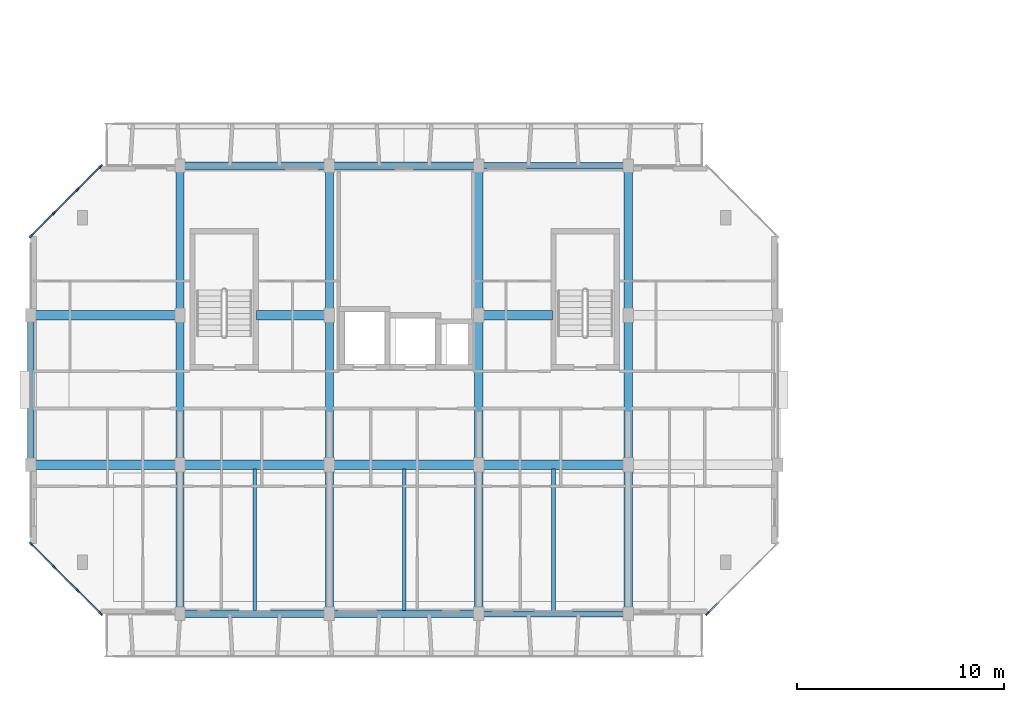
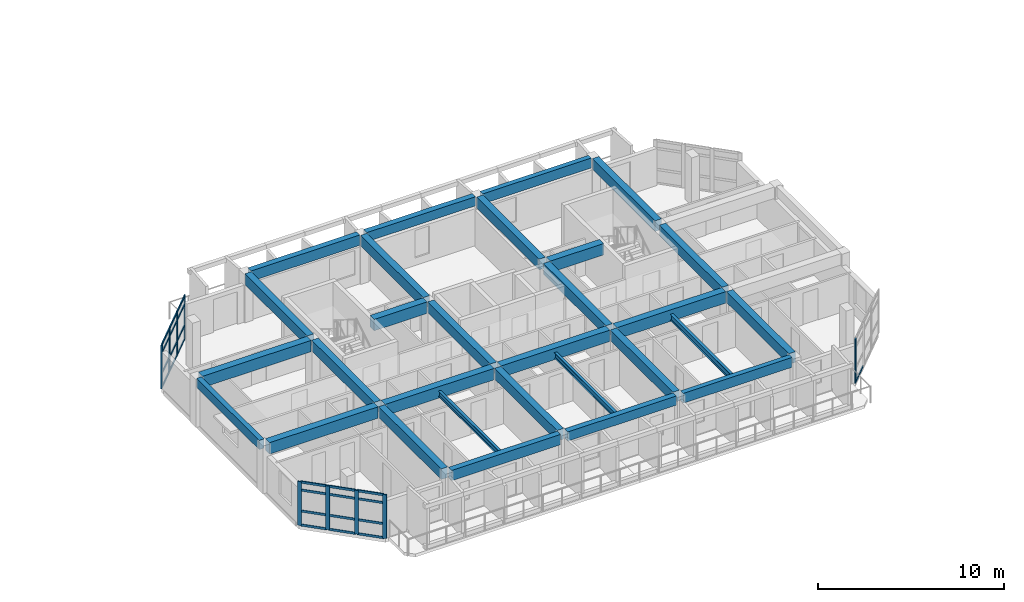
# One storey, part 2 of 43: 34 members, 29 beams, 3 elements without a shape of their own.
"""IFC4 building model written with IfcOpenShell, lengths in metres."""

from ifc_helpers import new_model, si_unit, direction, frame, origin, origin_2d, place, context, subcontext, project, spatial, rectangle, i_section, extrude, material, layer, layer_set, material_profile, profile_set, type_object, element, aggregate, save


model = new_model("IFC4")

# Units and contexts
model_context = context("Model", 3, precision=1e-05, world=origin(), true_north=direction((0.0, 1.0)))
body_context = subcontext(model_context, "Body", "Model", "MODEL_VIEW")
ifc_project = project(units=[si_unit("LENGTHUNIT", "METRE"), si_unit("AREAUNIT", "SQUARE_METRE"), si_unit("VOLUMEUNIT", "CUBIC_METRE"), si_unit("PLANEANGLEUNIT", "RADIAN"), si_unit("MASSUNIT", "GRAM", prefix="KILO")], contexts=[model_context])

# Site, building, storey
site_placement = place(None, origin())
site = spatial("IfcSite", under=ifc_project, at=site_placement, CompositionType="ELEMENT")
building_placement = place(site_placement, origin())
building = spatial("IfcBuilding", under=site, at=building_placement, Name="Ochrevale Crest", CompositionType="ELEMENT")
storey_placement = place(building_placement, frame((0.0, 0.0, 15.0)))
storey = spatial("IfcBuildingStorey", under=building, at=storey_placement, Name="L04", CompositionType="ELEMENT", Elevation=15.0)

# Beams
ifc_material_1 = material(Name="Precast concrete C50/60", Category="concrete")
ifc_material_profile_1 = material_profile(ifc_material_1, rectangle(XDim=0.39990234375, YDim=0.699951171875, at=origin_2d()), Name="PC 400x700")
ifc_profile_set_1 = profile_set([ifc_material_profile_1], Name="Precast concrete C50/60")
beam_type_1 = type_object("IfcBeamType", Name="BM-PC400x700", PredefinedType="BEAM", material=ifc_profile_set_1)
beam_1_placement = place(storey_placement, frame((7.199951171875, 14.6298828125, 2.800048828125), z_axis=(0.0, 1.0, 0.0), x_axis=(-1.0, 0.0, 0.0)))
element("IfcBeam", 1, at=beam_1_placement, inside=storey, type_object=beam_type_1, Name="Block A L04 N-S beam X=7.2", PredefinedType="BEAM", context=body_context, shape_type="SweptSolid", body=[
    extrude(rectangle(XDim=0.39990234375, YDim=0.699951171875, at=origin_2d()), origin(), (0.0, 0.0, 1.0), 6.740234375),
])
for number, where, z_axis, x_axis, name in (
    (2, (7.199951171875, 21.830078125, 2.800048828125), (0.0, 1.0, 0.0), (-1.0, 0.0, 0.0), "Block A L04 N-S beam X=7.2"),
    (3, (7.199951171875, 29.030029296875, 2.800048828125), (0.0, 1.0, 0.0), (-1.0, 0.0, 0.0), "Block A L04 N-S beam X=7.2"),
):
    element("IfcBeam", number, at=place(storey_placement, frame(where, z_axis=z_axis, x_axis=x_axis)), inside=storey, type_object=beam_type_1, Name=name, PredefinedType="BEAM", context=body_context, shape_type="SweptSolid", body=[
        extrude(rectangle(XDim=0.39990234375, YDim=0.699951171875, at=origin_2d()), origin(), (0.0, 0.0, 1.0), 6.739990234375),
    ])
beam_2_placement = place(storey_placement, frame((14.39990234375, 14.6298828125, 2.800048828125), z_axis=(0.0, 1.0, 0.0), x_axis=(-1.0, 0.0, 0.0)))
element("IfcBeam", 4, at=beam_2_placement, inside=storey, type_object=beam_type_1, Name="Block A L04 N-S beam X=14.4", PredefinedType="BEAM", context=body_context, shape_type="SweptSolid", body=[
    extrude(rectangle(XDim=0.39990234375, YDim=0.699951171875, at=origin_2d()), origin(), (0.0, 0.0, 1.0), 6.740234375),
])
for number, where, z_axis, x_axis, name in (
    (5, (14.39990234375, 21.830078125, 2.800048828125), (0.0, 1.0, 0.0), (-1.0, 0.0, 0.0), "Block A L04 N-S beam X=14.4"),
    (6, (14.39990234375, 29.030029296875, 2.800048828125), (0.0, 1.0, 0.0), (-1.0, 0.0, 0.0), "Block A L04 N-S beam X=14.4"),
):
    element("IfcBeam", number, at=place(storey_placement, frame(where, z_axis=z_axis, x_axis=x_axis)), inside=storey, type_object=beam_type_1, Name=name, PredefinedType="BEAM", context=body_context, shape_type="SweptSolid", body=[
        extrude(rectangle(XDim=0.39990234375, YDim=0.699951171875, at=origin_2d()), origin(), (0.0, 0.0, 1.0), 6.739990234375),
    ])
beam_3_placement = place(storey_placement, frame((21.60009765625, 14.6298828125, 2.800048828125), z_axis=(0.0, 1.0, 0.0), x_axis=(-1.0, 0.0, 0.0)))
element("IfcBeam", 7, at=beam_3_placement, inside=storey, type_object=beam_type_1, Name="Block A L04 N-S beam X=21.6", PredefinedType="BEAM", context=body_context, shape_type="SweptSolid", body=[
    extrude(rectangle(XDim=0.39990234375, YDim=0.699951171875, at=origin_2d()), origin(), (0.0, 0.0, 1.0), 6.740234375),
])
for number, where, z_axis, x_axis, name in (
    (8, (21.60009765625, 21.830078125, 2.800048828125), (0.0, 1.0, 0.0), (-1.0, 0.0, 0.0), "Block A L04 N-S beam X=21.6"),
    (9, (21.60009765625, 29.030029296875, 2.800048828125), (0.0, 1.0, 0.0), (-1.0, 0.0, 0.0), "Block A L04 N-S beam X=21.6"),
):
    element("IfcBeam", number, at=place(storey_placement, frame(where, z_axis=z_axis, x_axis=x_axis)), inside=storey, type_object=beam_type_1, Name=name, PredefinedType="BEAM", context=body_context, shape_type="SweptSolid", body=[
        extrude(rectangle(XDim=0.39990234375, YDim=0.699951171875, at=origin_2d()), origin(), (0.0, 0.0, 1.0), 6.739990234375),
    ])
beam_4_placement = place(storey_placement, frame((28.800048828125, 14.6298828125, 2.800048828125), z_axis=(0.0, 1.0, 0.0), x_axis=(-1.0, 0.0, 0.0)))
element("IfcBeam", 10, at=beam_4_placement, inside=storey, type_object=beam_type_1, Name="Block A L04 N-S beam X=28.8", PredefinedType="BEAM", context=body_context, shape_type="SweptSolid", body=[
    extrude(rectangle(XDim=0.39990234375, YDim=0.699951171875, at=origin_2d()), origin(), (0.0, 0.0, 1.0), 6.740234375),
])
for number, where, z_axis, x_axis, name in (
    (11, (28.800048828125, 21.830078125, 2.800048828125), (0.0, 1.0, 0.0), (-1.0, 0.0, 0.0), "Block A L04 N-S beam X=28.8"),
    (12, (28.800048828125, 29.030029296875, 2.800048828125), (0.0, 1.0, 0.0), (-1.0, 0.0, 0.0), "Block A L04 N-S beam X=28.8"),
):
    element("IfcBeam", number, at=place(storey_placement, frame(where, z_axis=z_axis, x_axis=x_axis)), inside=storey, type_object=beam_type_1, Name=name, PredefinedType="BEAM", context=body_context, shape_type="SweptSolid", body=[
        extrude(rectangle(XDim=0.39990234375, YDim=0.699951171875, at=origin_2d()), origin(), (0.0, 0.0, 1.0), 6.739990234375),
    ])
ifc_material_2 = material(Name="Concrete C50/60", Category="concrete")
ifc_material_profile_2 = material_profile(ifc_material_2, rectangle(XDim=0.449951171875, YDim=0.75, at=origin_2d()), Name="RC 450x750")
ifc_profile_set_2 = profile_set([ifc_material_profile_2], Name="Concrete C50/60")
beam_type_2 = type_object("IfcBeamType", Name="BM-PG450x750", PredefinedType="USERDEFINED", material=ifc_profile_set_2)
for number, where, z_axis, x_axis, name in (
    (13, (0.22509765625, 21.60009765625, 2.77490234375), (1.0, 0.0, 0.0), (0.0, 1.0, 0.0), "Block A L04 E-W beam Y=21.6"),
    (14, (7.425048828125, 21.60009765625, 2.77490234375), (1.0, 0.0, 0.0), (0.0, 1.0, 0.0), "Block A L04 E-W beam Y=21.6"),
    (15, (14.625, 21.60009765625, 2.77490234375), (1.0, 0.0, 0.0), (0.0, 1.0, 0.0), "Block A L04 E-W beam Y=21.6"),
    (16, (21.824951171875, 21.60009765625, 2.77490234375), (1.0, 0.0, 0.0), (0.0, 1.0, 0.0), "Block A L04 E-W beam Y=21.6"),
    (17, (0.22509765625, 28.800048828125, 2.77490234375), (1.0, 0.0, 0.0), (0.0, 1.0, 0.0), "Block A L04 E-W beam Y=28.8"),
):
    element("IfcBeam", number, at=place(storey_placement, frame(where, z_axis=z_axis, x_axis=x_axis)), inside=storey, type_object=beam_type_2, Name=name, ObjectType="GIRDER", PredefinedType="USERDEFINED", context=body_context, shape_type="SweptSolid", body=[
        extrude(rectangle(XDim=0.449951171875, YDim=0.75, at=origin_2d()), origin(), (0.0, 0.0, 1.0), 6.75),
    ])
beam_5_placement = place(storey_placement, frame((10.889892578125, 28.800048828125, 2.77490234375), z_axis=(1.0, 0.0, 0.0), x_axis=(0.0, 1.0, 0.0)))
element("IfcBeam", 18, at=beam_5_placement, inside=storey, type_object=beam_type_2, Name="Block A L04 E-W beam Y=28.8", ObjectType="GIRDER", PredefinedType="USERDEFINED", context=body_context, shape_type="SweptSolid", body=[
    extrude(rectangle(XDim=0.449951171875, YDim=0.75, at=origin_2d()), origin(), (0.0, 0.0, 1.0), 3.28515625),
])
beam_6_placement = place(storey_placement, frame((21.824951171875, 28.800048828125, 2.77490234375), z_axis=(1.0, 0.0, 0.0), x_axis=(0.0, 1.0, 0.0)))
element("IfcBeam", 19, at=beam_6_placement, inside=storey, type_object=beam_type_2, Name="Block A L04 E-W beam Y=28.8", ObjectType="GIRDER", PredefinedType="USERDEFINED", context=body_context, shape_type="SweptSolid", body=[
    extrude(rectangle(XDim=0.449951171875, YDim=0.75, at=origin_2d()), origin(), (0.0, 0.0, 1.0), 3.3349609375),
])
ifc_material_3 = material(Name="Precast concrete C40/50", Category="concrete")
ifc_material_profile_3 = material_profile(ifc_material_3, rectangle(XDim=0.300048828125, YDim=0.60009765625, at=origin_2d()), Name="PC 300x600")
ifc_profile_set_3 = profile_set([ifc_material_profile_3], Name="Precast concrete C40/50")
beam_type_3 = type_object("IfcBeamType", Name="BM-SP300x600", PredefinedType="SPANDREL", material=ifc_profile_set_3)
beam_7_placement = place(storey_placement, frame((0.0, 21.830078125, 2.85009765625), z_axis=(0.0, 1.0, 0.0), x_axis=(-1.0, 0.0, 0.0)))
element("IfcBeam", 20, at=beam_7_placement, inside=storey, type_object=beam_type_3, Name="Block A L04 N-S beam X=0.0", PredefinedType="SPANDREL", context=body_context, shape_type="SweptSolid", body=[
    extrude(rectangle(XDim=0.300048828125, YDim=0.60009765625, at=origin_2d()), origin(), (0.0, 0.0, 1.0), 6.739990234375),
])
ifc_material_profile_4 = material_profile(ifc_material_3, rectangle(XDim=0.300048828125, YDim=0.64990234375, at=origin_2d()), Name="PC 300x650")
ifc_profile_set_4 = profile_set([ifc_material_profile_4], Name="Precast concrete C40/50")
beam_type_4 = type_object("IfcBeamType", Name="BM-SP300x650", PredefinedType="SPANDREL", material=ifc_profile_set_4)
for number, where, z_axis, x_axis, name in (
    (21, (21.824951171875, 14.39990234375, 2.824951171875), (1.0, 0.0, 0.0), (0.0, 1.0, 0.0), "Block A L04 E-W beam Y=14.4"),
    (22, (21.824951171875, 36.0, 2.824951171875), (1.0, 0.0, 0.0), (0.0, 1.0, 0.0), "Block A L04 E-W beam Y=36.0"),
):
    element("IfcBeam", number, at=place(storey_placement, frame(where, z_axis=z_axis, x_axis=x_axis)), inside=storey, type_object=beam_type_4, Name=name, PredefinedType="SPANDREL", context=body_context, shape_type="SweptSolid", body=[
        extrude(rectangle(XDim=0.300048828125, YDim=0.64990234375, at=origin_2d()), origin(), (0.0, 0.0, 1.0), 6.75),
    ])
ifc_material_profile_5 = material_profile(ifc_material_3, rectangle(XDim=0.35009765625, YDim=0.60009765625, at=origin_2d()), Name="PC 350x600")
ifc_profile_set_5 = profile_set([ifc_material_profile_5], Name="Precast concrete C40/50")
beam_type_5 = type_object("IfcBeamType", Name="BM-SP350x600", PredefinedType="SPANDREL", material=ifc_profile_set_5)
for number, where, z_axis, x_axis, name in (
    (23, (14.625, 14.39990234375, 2.85009765625), (1.0, 0.0, 0.0), (0.0, 1.0, 0.0), "Block A L04 E-W beam Y=14.4"),
    (24, (14.625, 36.0, 2.85009765625), (1.0, 0.0, 0.0), (0.0, 1.0, 0.0), "Block A L04 E-W beam Y=36.0"),
):
    element("IfcBeam", number, at=place(storey_placement, frame(where, z_axis=z_axis, x_axis=x_axis)), inside=storey, type_object=beam_type_5, Name=name, PredefinedType="SPANDREL", context=body_context, shape_type="SweptSolid", body=[
        extrude(rectangle(XDim=0.35009765625, YDim=0.60009765625, at=origin_2d()), origin(), (0.0, 0.0, 1.0), 6.75),
    ])
ifc_material_profile_6 = material_profile(ifc_material_3, rectangle(XDim=0.35009765625, YDim=0.679931640625, at=origin_2d()), Name="PC 350x680")
ifc_profile_set_6 = profile_set([ifc_material_profile_6], Name="Precast concrete C40/50")
beam_type_6 = type_object("IfcBeamType", Name="BM-SP350x680", PredefinedType="SPANDREL", material=ifc_profile_set_6)
for number, where, z_axis, x_axis, name in (
    (25, (7.425048828125, 14.39990234375, 2.81005859375), (1.0, 0.0, 0.0), (0.0, 1.0, 0.0), "Block A L04 E-W beam Y=14.4"),
    (26, (7.425048828125, 36.0, 2.81005859375), (1.0, 0.0, 0.0), (0.0, 1.0, 0.0), "Block A L04 E-W beam Y=36.0"),
):
    element("IfcBeam", number, at=place(storey_placement, frame(where, z_axis=z_axis, x_axis=x_axis)), inside=storey, type_object=beam_type_6, Name=name, PredefinedType="SPANDREL", context=body_context, shape_type="SweptSolid", body=[
        extrude(rectangle(XDim=0.35009765625, YDim=0.679931640625, at=origin_2d()), origin(), (0.0, 0.0, 1.0), 6.75),
    ])
ifc_material_4 = material(Name="Steel S355", Category="steel")
ifc_material_profile_7 = material_profile(ifc_material_4, i_section(OverallWidth=0.17138671875, OverallDepth=0.355712890625, WebThickness=0.00732421875, FlangeThickness=0.011474609375, FilletRadius=0.011474609375, at=origin_2d()), Name="360UB50.7")
ifc_profile_set_7 = profile_set([ifc_material_profile_7], Name="Steel S355")
beam_type_7 = type_object("IfcBeamType", Name="BM-UB360A", PredefinedType="BEAM", material=ifc_profile_set_7)
beam_8_placement = place(storey_placement, frame((10.800048828125, 14.56298828125, 2.697265625), z_axis=(0.0, 1.0, 0.0), x_axis=(-1.0, 0.0, 0.0)))
element("IfcBeam", 27, at=beam_8_placement, inside=storey, type_object=beam_type_7, Name="Block A L04 composite plank trimmer beam 2", PredefinedType="BEAM", context=body_context, shape_type="SweptSolid", body=[
    extrude(i_section(OverallWidth=0.17138671875, OverallDepth=0.355712890625, WebThickness=0.00732421875, FlangeThickness=0.011474609375, FilletRadius=0.011474609375, at=origin_2d()), origin(), (0.0, 0.0, 1.0), 6.823974609375),
])
ifc_material_profile_8 = material_profile(ifc_material_4, i_section(OverallWidth=0.172119140625, OverallDepth=0.358642578125, WebThickness=0.008056640625, FlangeThickness=0.012939453125, FilletRadius=0.011474609375, at=origin_2d()), Name="360UB56.7")
ifc_profile_set_8 = profile_set([ifc_material_profile_8], Name="Steel S355")
beam_type_8 = type_object("IfcBeamType", Name="BM-UB360B", PredefinedType="BEAM", material=ifc_profile_set_8)
beam_9_placement = place(storey_placement, frame((18.0, 14.56298828125, 2.69580078125), z_axis=(0.0, 1.0, 0.0), x_axis=(-1.0, 0.0, 0.0)))
element("IfcBeam", 28, at=beam_9_placement, inside=storey, type_object=beam_type_8, Name="Block A L04 composite plank trimmer beam 3", PredefinedType="BEAM", context=body_context, shape_type="SweptSolid", body=[
    extrude(i_section(OverallWidth=0.172119140625, OverallDepth=0.358642578125, WebThickness=0.008056640625, FlangeThickness=0.012939453125, FilletRadius=0.011474609375, at=origin_2d()), origin(), (0.0, 0.0, 1.0), 6.823974609375),
])
ifc_material_profile_9 = material_profile(ifc_material_4, i_section(OverallWidth=0.177734375, OverallDepth=0.402587890625, WebThickness=0.007568359375, FlangeThickness=0.010986328125, FilletRadius=0.011474609375, at=origin_2d()), Name="410UB53.7")
ifc_profile_set_9 = profile_set([ifc_material_profile_9], Name="Steel S355")
beam_type_9 = type_object("IfcBeamType", Name="BM-UB410A", PredefinedType="BEAM", material=ifc_profile_set_9)
beam_10_placement = place(storey_placement, frame((25.199951171875, 14.5380859375, 2.673583984375), z_axis=(0.0, 1.0, 0.0), x_axis=(-1.0, 0.0, 0.0)))
element("IfcBeam", 29, at=beam_10_placement, inside=storey, type_object=beam_type_9, Name="Block A L04 composite plank trimmer beam 4", PredefinedType="BEAM", context=body_context, shape_type="SweptSolid", body=[
    extrude(i_section(OverallWidth=0.177734375, OverallDepth=0.402587890625, WebThickness=0.007568359375, FlangeThickness=0.010986328125, FilletRadius=0.011474609375, at=origin_2d()), origin(), (0.0, 0.0, 1.0), 6.848876953125),
])

# Curtain wall, member
ifc_material_5 = material(Name="Anodised aluminium 6063-T5", Category="aluminium")
ifc_layer_1 = layer(ifc_material_5, 0.14990234375)
ifc_layer_set_1 = layer_set([ifc_layer_1], Name="Anodised aluminium 6063-T5")
curtain_wall_type_1 = type_object("IfcCurtainWallType", Name="CW-WG-280x285", PredefinedType="NOTDEFINED", material=ifc_layer_set_1)
curtain_wall_1_placement = place(storey_placement, origin())
curtain_wall_1 = element("IfcCurtainWall", 30, at=curtain_wall_1_placement, inside=storey, type_object=curtain_wall_type_1, Name="Block A L04 chamfered corner wintergarden curtain wall 2", PredefinedType="NOTDEFINED")
ifc_material_profile_10 = material_profile(ifc_material_5, rectangle(XDim=0.074951171875, YDim=0.219970703125, at=origin_2d()), Name="ALU 75x220")
ifc_profile_set_10 = profile_set([ifc_material_profile_10], Name="Anodised aluminium 6063-T5")
member_type_1 = type_object("IfcMemberType", Name="CW-MUL-75x220", PredefinedType="MULLION", material=ifc_profile_set_10)
member_1_placement = place(storey_placement, frame((32.62646484375, 14.426513671875, 0.0), z_axis=(0.0, 0.0, 1.0), x_axis=(-0.707106781187, 0.707106781187, 0.0)))
member_1 = element("IfcMember", 31, at=member_1_placement, type_object=member_type_1, Name="CW16 mullion 1", PredefinedType="MULLION", context=body_context, shape_type="SweptSolid", body=[
    extrude(rectangle(XDim=0.074951171875, YDim=0.219970703125, at=origin_2d()), origin(), (0.0, 0.0, 1.0), 2.875),
])

# Curtain wall, members
ifc_layer_2 = layer(ifc_material_5, 0.14990234375)
ifc_layer_set_2 = layer_set([ifc_layer_2], Name="Anodised aluminium 6063-T5")
curtain_wall_type_2 = type_object("IfcCurtainWallType", Name="CW-WG-240x285", PredefinedType="NOTDEFINED", material=ifc_layer_set_2)
curtain_wall_2_placement = place(storey_placement, origin())
curtain_wall_2 = element("IfcCurtainWall", 32, at=curtain_wall_2_placement, inside=storey, type_object=curtain_wall_type_2, Name="Block A L04 chamfered corner wintergarden curtain wall 6", PredefinedType="NOTDEFINED")
member_2_placement = place(storey_placement, frame((3.37353515625, 35.973388671875, 0.0), z_axis=(0.0, 0.0, 1.0), x_axis=(0.707106781187, -0.707106781187, 0.0)))
member_2 = element("IfcMember", 33, at=member_2_placement, type_object=member_type_1, Name="CW15 mullion 1", PredefinedType="MULLION", context=body_context, shape_type="SweptSolid", body=[
    extrude(rectangle(XDim=0.074951171875, YDim=0.219970703125, at=origin_2d()), origin(), (0.0, 0.0, 1.0), 2.875),
])
member_3_placement = place(storey_placement, frame((2.2666015625, 34.86669921875, 0.0), z_axis=(0.0, 0.0, 1.0), x_axis=(0.707106781187, -0.707106781187, 0.0)))
member_3 = element("IfcMember", 34, at=member_3_placement, type_object=member_type_1, Name="CW15 mullion 2", PredefinedType="MULLION", context=body_context, shape_type="SweptSolid", body=[
    extrude(rectangle(XDim=0.074951171875, YDim=0.219970703125, at=origin_2d()), origin(), (0.0, 0.0, 1.0), 2.875),
])
member_4_placement = place(storey_placement, frame((1.13330078125, 33.7333984375, 0.0), z_axis=(0.0, 0.0, 1.0), x_axis=(0.707106781187, -0.707106781187, 0.0)))
member_4 = element("IfcMember", 35, at=member_4_placement, type_object=member_type_1, Name="CW15 mullion 3", PredefinedType="MULLION", context=body_context, shape_type="SweptSolid", body=[
    extrude(rectangle(XDim=0.074951171875, YDim=0.219970703125, at=origin_2d()), origin(), (0.0, 0.0, 1.0), 2.875),
])
member_5_placement = place(storey_placement, frame((0.026611328125, 32.62646484375, 0.0), z_axis=(0.0, 0.0, 1.0), x_axis=(0.707106781187, -0.707106781187, 0.0)))
member_5 = element("IfcMember", 36, at=member_5_placement, type_object=member_type_1, Name="CW15 mullion 4", PredefinedType="MULLION", context=body_context, shape_type="SweptSolid", body=[
    extrude(rectangle(XDim=0.074951171875, YDim=0.219970703125, at=origin_2d()), origin(), (0.0, 0.0, 1.0), 2.875),
])

ifc_layer_3 = layer(ifc_material_5, 0.14990234375)
ifc_layer_set_3 = layer_set([ifc_layer_3], Name="Anodised aluminium 6063-T5")
curtain_wall_type_3 = type_object("IfcCurtainWallType", Name="CW-WG-320x285", PredefinedType="NOTDEFINED", material=ifc_layer_set_3)
curtain_wall_3_placement = place(storey_placement, origin())
curtain_wall_3 = element("IfcCurtainWall", 37, at=curtain_wall_3_placement, inside=storey, type_object=curtain_wall_type_3, Name="Block A L04 chamfered corner wintergarden curtain wall 8", PredefinedType="NOTDEFINED")
member_6_placement = place(storey_placement, frame((0.026611328125, 17.7734375, 0.0), z_axis=(0.0, 0.0, 1.0), x_axis=(0.707106781187, 0.707106781187, 0.0)))
member_6 = element("IfcMember", 38, at=member_6_placement, type_object=member_type_1, Name="CW17 mullion 1", PredefinedType="MULLION", context=body_context, shape_type="SweptSolid", body=[
    extrude(rectangle(XDim=0.074951171875, YDim=0.219970703125, at=origin_2d()), origin(), (0.0, 0.0, 1.0), 2.875),
])
member_7_placement = place(storey_placement, frame((1.13330078125, 16.666748046875, 0.0), z_axis=(0.0, 0.0, 1.0), x_axis=(0.707106781187, 0.707106781187, 0.0)))
member_7 = element("IfcMember", 39, at=member_7_placement, type_object=member_type_1, Name="CW17 mullion 2", PredefinedType="MULLION", context=body_context, shape_type="SweptSolid", body=[
    extrude(rectangle(XDim=0.074951171875, YDim=0.219970703125, at=origin_2d()), origin(), (0.0, 0.0, 1.0), 2.875),
])
member_8_placement = place(storey_placement, frame((2.2666015625, 15.533447265625, 0.0), z_axis=(0.0, 0.0, 1.0), x_axis=(0.707106781187, 0.707106781187, 0.0)))
member_8 = element("IfcMember", 40, at=member_8_placement, type_object=member_type_1, Name="CW17 mullion 3", PredefinedType="MULLION", context=body_context, shape_type="SweptSolid", body=[
    extrude(rectangle(XDim=0.074951171875, YDim=0.219970703125, at=origin_2d()), origin(), (0.0, 0.0, 1.0), 2.875),
])
member_9_placement = place(storey_placement, frame((3.37353515625, 14.426513671875, 0.0), z_axis=(0.0, 0.0, 1.0), x_axis=(0.707106781187, 0.707106781187, 0.0)))
member_9 = element("IfcMember", 41, at=member_9_placement, type_object=member_type_1, Name="CW17 mullion 4", PredefinedType="MULLION", context=body_context, shape_type="SweptSolid", body=[
    extrude(rectangle(XDim=0.074951171875, YDim=0.219970703125, at=origin_2d()), origin(), (0.0, 0.0, 1.0), 2.875),
])

# Member
ifc_material_profile_11 = material_profile(ifc_material_5, rectangle(XDim=0.06005859375, YDim=0.14990234375, at=origin_2d()), Name="ALU 60x150")
ifc_profile_set_11 = profile_set([ifc_material_profile_11], Name="Anodised aluminium 6063-T5")
member_type_2 = type_object("IfcMemberType", Name="CW-TRN-60x150", PredefinedType="USERDEFINED", material=ifc_profile_set_11)
member_10_placement = place(storey_placement, frame((32.653076171875, 14.453125, 0.030029296875), z_axis=(0.707106781187, 0.707106781187, 0.0), x_axis=(-0.707106781187, 0.707106781187, 0.0)))
member_10 = element("IfcMember", 42, at=member_10_placement, type_object=member_type_2, Name="CW16 transom 1.1", ObjectType="TRANSOM", PredefinedType="USERDEFINED", context=body_context, shape_type="SweptSolid", body=[
    extrude(rectangle(XDim=0.06005859375, YDim=0.14990234375, at=origin_2d()), origin(), (0.0, 0.0, 1.0), 1.490234375),
])

aggregate(curtain_wall_1, [member_1, member_10])

member_11_placement = place(storey_placement, frame((3.346923828125, 35.947021484375, 0.030029296875), z_axis=(-0.70702486902, -0.707188683865, 0.0), x_axis=(0.707188683865, -0.70702486902, 0.0)))
member_11 = element("IfcMember", 43, at=member_11_placement, type_object=member_type_2, Name="CW15 transom 1.1", ObjectType="TRANSOM", PredefinedType="USERDEFINED", context=body_context, shape_type="SweptSolid", body=[
    extrude(rectangle(XDim=0.06005859375, YDim=0.14990234375, at=origin_2d()), origin(), (0.0, 0.0, 1.0), 1.490234375),
])

member_12_placement = place(storey_placement, frame((3.346923828125, 35.947021484375, 0.949951171875), z_axis=(-0.70702486902, -0.707188683865, 0.0), x_axis=(0.707188683865, -0.70702486902, 0.0)))
member_12 = element("IfcMember", 44, at=member_12_placement, type_object=member_type_2, Name="CW15 transom 1.2", ObjectType="TRANSOM", PredefinedType="USERDEFINED", context=body_context, shape_type="SweptSolid", body=[
    extrude(rectangle(XDim=0.06005859375, YDim=0.14990234375, at=origin_2d()), origin(), (0.0, 0.0, 1.0), 1.490234375),
])

member_13_placement = place(storey_placement, frame((3.346923828125, 35.947021484375, 2.324951171875), z_axis=(-0.70702486902, -0.707188683865, 0.0), x_axis=(0.707188683865, -0.70702486902, 0.0)))
member_13 = element("IfcMember", 45, at=member_13_placement, type_object=member_type_2, Name="CW15 transom 1.3", ObjectType="TRANSOM", PredefinedType="USERDEFINED", context=body_context, shape_type="SweptSolid", body=[
    extrude(rectangle(XDim=0.06005859375, YDim=0.14990234375, at=origin_2d()), origin(), (0.0, 0.0, 1.0), 1.490234375),
])

member_14_placement = place(storey_placement, frame((3.346923828125, 35.947021484375, 2.844970703125), z_axis=(-0.70702486902, -0.707188683865, 0.0), x_axis=(0.707188683865, -0.70702486902, 0.0)))
member_14 = element("IfcMember", 46, at=member_14_placement, type_object=member_type_2, Name="CW15 transom 1.4", ObjectType="TRANSOM", PredefinedType="USERDEFINED", context=body_context, shape_type="SweptSolid", body=[
    extrude(rectangle(XDim=0.06005859375, YDim=0.14990234375, at=origin_2d()), origin(), (0.0, 0.0, 1.0), 1.490234375),
])

member_15_placement = place(storey_placement, frame((2.240234375, 34.840087890625, 0.030029296875), z_axis=(-0.707106781187, -0.707106781187, 0.0), x_axis=(0.707106781187, -0.707106781187, 0.0)))
member_15 = element("IfcMember", 47, at=member_15_placement, type_object=member_type_2, Name="CW15 transom 2.1", ObjectType="TRANSOM", PredefinedType="USERDEFINED", context=body_context, shape_type="SweptSolid", body=[
    extrude(rectangle(XDim=0.06005859375, YDim=0.14990234375, at=origin_2d()), origin(), (0.0, 0.0, 1.0), 1.52783203125),
])

member_16_placement = place(storey_placement, frame((2.240234375, 34.840087890625, 0.949951171875), z_axis=(-0.707106781187, -0.707106781187, 0.0), x_axis=(0.707106781187, -0.707106781187, 0.0)))
member_16 = element("IfcMember", 48, at=member_16_placement, type_object=member_type_2, Name="CW15 transom 2.2", ObjectType="TRANSOM", PredefinedType="USERDEFINED", context=body_context, shape_type="SweptSolid", body=[
    extrude(rectangle(XDim=0.06005859375, YDim=0.14990234375, at=origin_2d()), origin(), (0.0, 0.0, 1.0), 1.52783203125),
])

member_17_placement = place(storey_placement, frame((2.240234375, 34.840087890625, 2.324951171875), z_axis=(-0.707106781187, -0.707106781187, 0.0), x_axis=(0.707106781187, -0.707106781187, 0.0)))
member_17 = element("IfcMember", 49, at=member_17_placement, type_object=member_type_2, Name="CW15 transom 2.3", ObjectType="TRANSOM", PredefinedType="USERDEFINED", context=body_context, shape_type="SweptSolid", body=[
    extrude(rectangle(XDim=0.06005859375, YDim=0.14990234375, at=origin_2d()), origin(), (0.0, 0.0, 1.0), 1.52783203125),
])

member_18_placement = place(storey_placement, frame((2.240234375, 34.840087890625, 2.844970703125), z_axis=(-0.707106781187, -0.707106781187, 0.0), x_axis=(0.707106781187, -0.707106781187, 0.0)))
member_18 = element("IfcMember", 50, at=member_18_placement, type_object=member_type_2, Name="CW15 transom 2.4", ObjectType="TRANSOM", PredefinedType="USERDEFINED", context=body_context, shape_type="SweptSolid", body=[
    extrude(rectangle(XDim=0.06005859375, YDim=0.14990234375, at=origin_2d()), origin(), (0.0, 0.0, 1.0), 1.52783203125),
])

member_19_placement = place(storey_placement, frame((1.10693359375, 33.706787109375, 0.030029296875), z_axis=(-0.707188683865, -0.70702486902, 0.0), x_axis=(0.70702486902, -0.707188683865, 0.0)))
member_19 = element("IfcMember", 51, at=member_19_placement, type_object=member_type_2, Name="CW15 transom 3.1", ObjectType="TRANSOM", PredefinedType="USERDEFINED", context=body_context, shape_type="SweptSolid", body=[
    extrude(rectangle(XDim=0.06005859375, YDim=0.14990234375, at=origin_2d()), origin(), (0.0, 0.0, 1.0), 1.490234375),
])

member_20_placement = place(storey_placement, frame((1.10693359375, 33.706787109375, 0.949951171875), z_axis=(-0.707188683865, -0.70702486902, 0.0), x_axis=(0.70702486902, -0.707188683865, 0.0)))
member_20 = element("IfcMember", 52, at=member_20_placement, type_object=member_type_2, Name="CW15 transom 3.2", ObjectType="TRANSOM", PredefinedType="USERDEFINED", context=body_context, shape_type="SweptSolid", body=[
    extrude(rectangle(XDim=0.06005859375, YDim=0.14990234375, at=origin_2d()), origin(), (0.0, 0.0, 1.0), 1.490234375),
])

member_21_placement = place(storey_placement, frame((1.10693359375, 33.706787109375, 2.324951171875), z_axis=(-0.707188683865, -0.70702486902, 0.0), x_axis=(0.70702486902, -0.707188683865, 0.0)))
member_21 = element("IfcMember", 53, at=member_21_placement, type_object=member_type_2, Name="CW15 transom 3.3", ObjectType="TRANSOM", PredefinedType="USERDEFINED", context=body_context, shape_type="SweptSolid", body=[
    extrude(rectangle(XDim=0.06005859375, YDim=0.14990234375, at=origin_2d()), origin(), (0.0, 0.0, 1.0), 1.490234375),
])

member_22_placement = place(storey_placement, frame((1.10693359375, 33.706787109375, 2.844970703125), z_axis=(-0.707188683865, -0.70702486902, 0.0), x_axis=(0.70702486902, -0.707188683865, 0.0)))
member_22 = element("IfcMember", 54, at=member_22_placement, type_object=member_type_2, Name="CW15 transom 3.4", ObjectType="TRANSOM", PredefinedType="USERDEFINED", context=body_context, shape_type="SweptSolid", body=[
    extrude(rectangle(XDim=0.06005859375, YDim=0.14990234375, at=origin_2d()), origin(), (0.0, 0.0, 1.0), 1.490234375),
])

aggregate(curtain_wall_2, [member_2, member_3, member_4, member_5, member_11, member_12, member_13, member_14, member_15, member_16, member_17, member_18, member_19, member_20, member_21, member_22])

member_23_placement = place(storey_placement, frame((0.052978515625, 17.7470703125, 0.030029296875), z_axis=(0.707106781187, -0.707106781187, 0.0), x_axis=(0.707106781187, 0.707106781187, 0.0)))
member_23 = element("IfcMember", 55, at=member_23_placement, type_object=member_type_2, Name="CW17 transom 1.1", ObjectType="TRANSOM", PredefinedType="USERDEFINED", context=body_context, shape_type="SweptSolid", body=[
    extrude(rectangle(XDim=0.06005859375, YDim=0.14990234375, at=origin_2d()), origin(), (0.0, 0.0, 1.0), 1.490478515625),
])

member_24_placement = place(storey_placement, frame((0.052978515625, 17.7470703125, 0.949951171875), z_axis=(0.707106781187, -0.707106781187, 0.0), x_axis=(0.707106781187, 0.707106781187, 0.0)))
member_24 = element("IfcMember", 56, at=member_24_placement, type_object=member_type_2, Name="CW17 transom 1.2", ObjectType="TRANSOM", PredefinedType="USERDEFINED", context=body_context, shape_type="SweptSolid", body=[
    extrude(rectangle(XDim=0.06005859375, YDim=0.14990234375, at=origin_2d()), origin(), (0.0, 0.0, 1.0), 1.490478515625),
])

member_25_placement = place(storey_placement, frame((0.052978515625, 17.7470703125, 2.324951171875), z_axis=(0.707106781187, -0.707106781187, 0.0), x_axis=(0.707106781187, 0.707106781187, 0.0)))
member_25 = element("IfcMember", 57, at=member_25_placement, type_object=member_type_2, Name="CW17 transom 1.3", ObjectType="TRANSOM", PredefinedType="USERDEFINED", context=body_context, shape_type="SweptSolid", body=[
    extrude(rectangle(XDim=0.06005859375, YDim=0.14990234375, at=origin_2d()), origin(), (0.0, 0.0, 1.0), 1.490478515625),
])

member_26_placement = place(storey_placement, frame((0.052978515625, 17.7470703125, 2.844970703125), z_axis=(0.707106781187, -0.707106781187, 0.0), x_axis=(0.707106781187, 0.707106781187, 0.0)))
member_26 = element("IfcMember", 58, at=member_26_placement, type_object=member_type_2, Name="CW17 transom 1.4", ObjectType="TRANSOM", PredefinedType="USERDEFINED", context=body_context, shape_type="SweptSolid", body=[
    extrude(rectangle(XDim=0.06005859375, YDim=0.14990234375, at=origin_2d()), origin(), (0.0, 0.0, 1.0), 1.490478515625),
])

member_27_placement = place(storey_placement, frame((1.159912109375, 16.64013671875, 0.030029296875), z_axis=(0.707106781187, -0.707106781187, 0.0), x_axis=(0.707106781187, 0.707106781187, 0.0)))
member_27 = element("IfcMember", 59, at=member_27_placement, type_object=member_type_2, Name="CW17 transom 2.1", ObjectType="TRANSOM", PredefinedType="USERDEFINED", context=body_context, shape_type="SweptSolid", body=[
    extrude(rectangle(XDim=0.06005859375, YDim=0.14990234375, at=origin_2d()), origin(), (0.0, 0.0, 1.0), 1.52783203125),
])

member_28_placement = place(storey_placement, frame((1.159912109375, 16.64013671875, 0.949951171875), z_axis=(0.707106781187, -0.707106781187, 0.0), x_axis=(0.707106781187, 0.707106781187, 0.0)))
member_28 = element("IfcMember", 60, at=member_28_placement, type_object=member_type_2, Name="CW17 transom 2.2", ObjectType="TRANSOM", PredefinedType="USERDEFINED", context=body_context, shape_type="SweptSolid", body=[
    extrude(rectangle(XDim=0.06005859375, YDim=0.14990234375, at=origin_2d()), origin(), (0.0, 0.0, 1.0), 1.52783203125),
])

member_29_placement = place(storey_placement, frame((1.159912109375, 16.64013671875, 2.324951171875), z_axis=(0.707106781187, -0.707106781187, 0.0), x_axis=(0.707106781187, 0.707106781187, 0.0)))
member_29 = element("IfcMember", 61, at=member_29_placement, type_object=member_type_2, Name="CW17 transom 2.3", ObjectType="TRANSOM", PredefinedType="USERDEFINED", context=body_context, shape_type="SweptSolid", body=[
    extrude(rectangle(XDim=0.06005859375, YDim=0.14990234375, at=origin_2d()), origin(), (0.0, 0.0, 1.0), 1.52783203125),
])

member_30_placement = place(storey_placement, frame((1.159912109375, 16.64013671875, 2.844970703125), z_axis=(0.707106781187, -0.707106781187, 0.0), x_axis=(0.707106781187, 0.707106781187, 0.0)))
member_30 = element("IfcMember", 62, at=member_30_placement, type_object=member_type_2, Name="CW17 transom 2.4", ObjectType="TRANSOM", PredefinedType="USERDEFINED", context=body_context, shape_type="SweptSolid", body=[
    extrude(rectangle(XDim=0.06005859375, YDim=0.14990234375, at=origin_2d()), origin(), (0.0, 0.0, 1.0), 1.52783203125),
])

member_31_placement = place(storey_placement, frame((2.293212890625, 15.5068359375, 0.030029296875), z_axis=(0.707106781187, -0.707106781187, 0.0), x_axis=(0.707106781187, 0.707106781187, 0.0)))
member_31 = element("IfcMember", 63, at=member_31_placement, type_object=member_type_2, Name="CW17 transom 3.1", ObjectType="TRANSOM", PredefinedType="USERDEFINED", context=body_context, shape_type="SweptSolid", body=[
    extrude(rectangle(XDim=0.06005859375, YDim=0.14990234375, at=origin_2d()), origin(), (0.0, 0.0, 1.0), 1.490234375),
])

member_32_placement = place(storey_placement, frame((2.293212890625, 15.5068359375, 0.949951171875), z_axis=(0.707106781187, -0.707106781187, 0.0), x_axis=(0.707106781187, 0.707106781187, 0.0)))
member_32 = element("IfcMember", 64, at=member_32_placement, type_object=member_type_2, Name="CW17 transom 3.2", ObjectType="TRANSOM", PredefinedType="USERDEFINED", context=body_context, shape_type="SweptSolid", body=[
    extrude(rectangle(XDim=0.06005859375, YDim=0.14990234375, at=origin_2d()), origin(), (0.0, 0.0, 1.0), 1.490234375),
])

member_33_placement = place(storey_placement, frame((2.293212890625, 15.5068359375, 2.324951171875), z_axis=(0.707106781187, -0.707106781187, 0.0), x_axis=(0.707106781187, 0.707106781187, 0.0)))
member_33 = element("IfcMember", 65, at=member_33_placement, type_object=member_type_2, Name="CW17 transom 3.3", ObjectType="TRANSOM", PredefinedType="USERDEFINED", context=body_context, shape_type="SweptSolid", body=[
    extrude(rectangle(XDim=0.06005859375, YDim=0.14990234375, at=origin_2d()), origin(), (0.0, 0.0, 1.0), 1.490234375),
])

member_34_placement = place(storey_placement, frame((2.293212890625, 15.5068359375, 2.844970703125), z_axis=(0.707106781187, -0.707106781187, 0.0), x_axis=(0.707106781187, 0.707106781187, 0.0)))
member_34 = element("IfcMember", 66, at=member_34_placement, type_object=member_type_2, Name="CW17 transom 3.4", ObjectType="TRANSOM", PredefinedType="USERDEFINED", context=body_context, shape_type="SweptSolid", body=[
    extrude(rectangle(XDim=0.06005859375, YDim=0.14990234375, at=origin_2d()), origin(), (0.0, 0.0, 1.0), 1.490234375),
])

aggregate(curtain_wall_3, [member_6, member_7, member_8, member_9, member_23, member_24, member_25, member_26, member_27, member_28, member_29, member_30, member_31, member_32, member_33, member_34])

save(model, "model.ifc")
